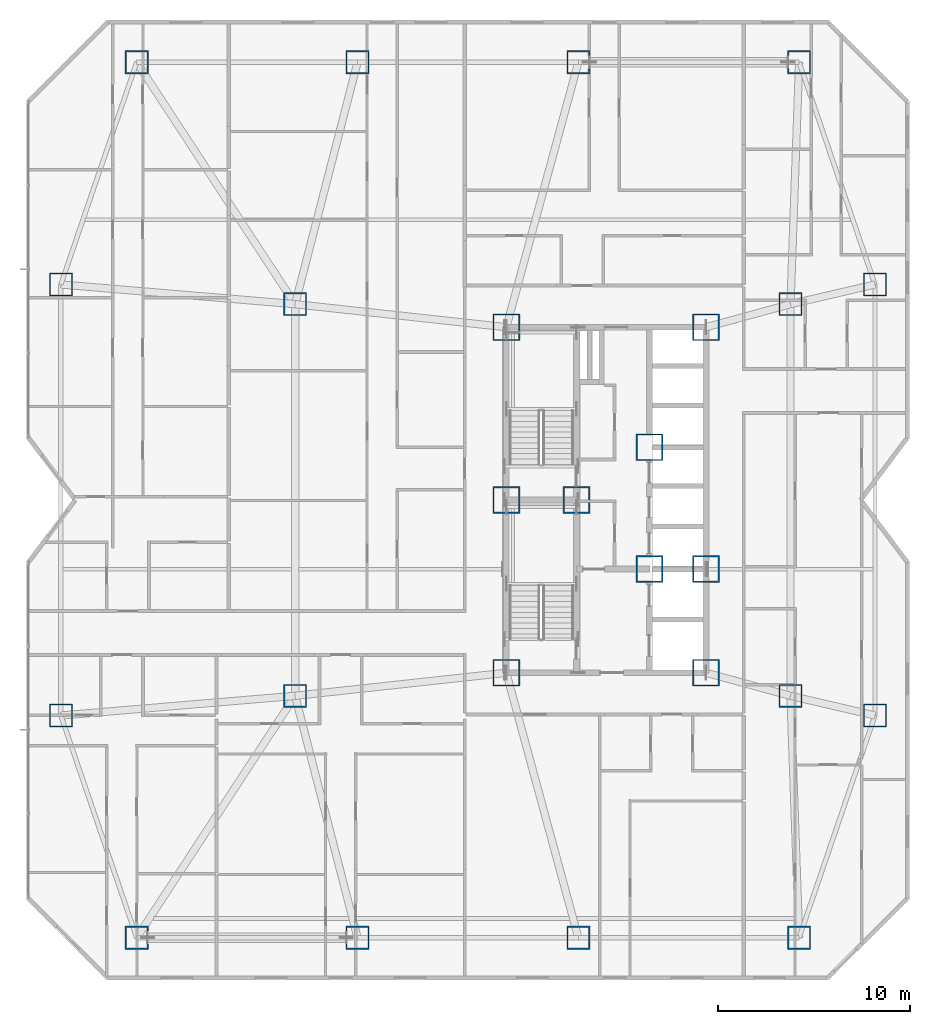
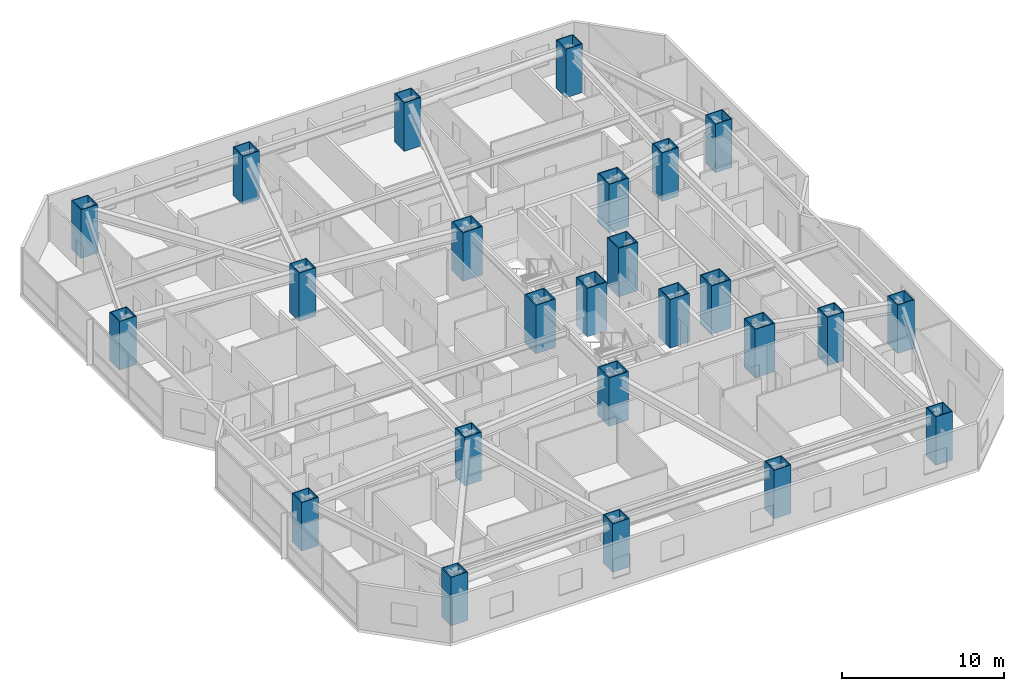
# One storey, part 1 of 25: 25 columns.
"""IFC4 building model written with IfcOpenShell, lengths in metres."""

from ifc_helpers import new_model, si_unit, direction, frame, origin, origin_2d, place, context, subcontext, project, spatial, hollow_rectangle, extrude, material, material_profile, profile_set, type_object, element, save


model = new_model("IFC4")

# Units and contexts
model_context = context("Model", 3, precision=1e-05, world=origin(), true_north=direction((0.0, 1.0)))
body_context = subcontext(model_context, "Body", "Model", "MODEL_VIEW")
ifc_project = project(units=[si_unit("LENGTHUNIT", "METRE"), si_unit("AREAUNIT", "SQUARE_METRE"), si_unit("VOLUMEUNIT", "CUBIC_METRE"), si_unit("PLANEANGLEUNIT", "RADIAN"), si_unit("MASSUNIT", "GRAM", prefix="KILO")], contexts=[model_context])

# Site, building, storey
site_placement = place(None, origin())
site = spatial("IfcSite", under=ifc_project, at=site_placement, CompositionType="ELEMENT")
building_placement = place(site_placement, origin())
building = spatial("IfcBuilding", under=site, at=building_placement, Name="Khamvora Tower", CompositionType="ELEMENT")
storey_placement = place(building_placement, frame((0.0, 0.0, 36.949951171875)))
storey = spatial("IfcBuildingStorey", under=building, at=storey_placement, Name="L08", CompositionType="ELEMENT", Elevation=36.949951171875)

# Columns
ifc_material = material(Name="Steel S460", Category="steel")
ifc_material_profile_1 = material_profile(ifc_material, hollow_rectangle(XDim=1.199951171875, YDim=1.199951171875, WallThickness=0.06005859375, at=origin_2d()), Name="BOX1200x1200x60")
ifc_profile_set_1 = profile_set([ifc_material_profile_1], Name="Steel S460")
column_type_1 = type_object("IfcColumnType", Name="COL-BOX1200", PredefinedType="COLUMN", material=ifc_profile_set_1)
for number, where, z_axis, x_axis, name in (
    (1, (9.75, 5.199951171875, 0.0), (0.0, 0.0, 1.0), (1.0, 0.0, 0.0), "L08 structural frame column S1"),
    (2, (21.25, 5.199951171875, 0.0), (0.0, 0.0, 1.0), (1.0, 0.0, 0.0), "L08 structural frame column S2"),
    (3, (32.75, 5.199951171875, 0.0), (0.0, 0.0, 1.0), (1.0, 0.0, 0.0), "L08 structural frame column S3"),
    (4, (44.25, 5.199951171875, 0.0), (0.0, 0.0, 1.0), (1.0, 0.0, 0.0), "L08 structural frame column S4"),
    (5, (9.75, 50.800048828125, 0.0), (0.0, 0.0, 1.0), (1.0, 0.0, 0.0), "L08 structural frame column N1"),
    (6, (21.25, 50.800048828125, 0.0), (0.0, 0.0, 1.0), (1.0, 0.0, 0.0), "L08 structural frame column N2"),
    (7, (32.75, 50.800048828125, 0.0), (0.0, 0.0, 1.0), (1.0, 0.0, 0.0), "L08 structural frame column N3"),
    (8, (44.25, 50.800048828125, 0.0), (0.0, 0.0, 1.0), (1.0, 0.0, 0.0), "L08 structural frame column N4"),
    (9, (5.800048828125, 16.77490234375, 0.0), (0.0, 0.0, 1.0), (1.0, 0.0, 0.0), "L08 structural frame column W1"),
    (10, (5.800048828125, 39.22509765625, 0.0), (0.0, 0.0, 1.0), (1.0, 0.0, 0.0), "L08 structural frame column W2"),
    (11, (48.199951171875, 16.77490234375, 0.0), (0.0, 0.0, 1.0), (1.0, 0.0, 0.0), "L08 structural frame column E1"),
    (12, (48.199951171875, 39.22509765625, 0.0), (0.0, 0.0, 1.0), (1.0, 0.0, 0.0), "L08 structural frame column E2"),
    (13, (18.0, 17.800048828125, 0.0), (0.0, 0.0, 1.0), (1.0, 0.0, 0.0), "L08 structural frame column MW1"),
    (14, (18.0, 38.199951171875, 0.0), (0.0, 0.0, 1.0), (1.0, 0.0, 0.0), "L08 structural frame column MW2"),
    (15, (43.800048828125, 17.800048828125, 0.0), (0.0, 0.0, 1.0), (1.0, 0.0, 0.0), "L08 structural frame column M1"),
    (16, (43.800048828125, 38.199951171875, 0.0), (0.0, 0.0, 1.0), (1.0, 0.0, 0.0), "L08 structural frame column M2"),
):
    element("IfcColumn", number, at=place(storey_placement, frame(where, z_axis=z_axis, x_axis=x_axis)), inside=storey, type_object=column_type_1, Name=name, PredefinedType="COLUMN", context=body_context, shape_type="SweptSolid", body=[
        extrude(hollow_rectangle(XDim=1.199951171875, YDim=1.199951171875, WallThickness=0.06005859375, at=origin_2d()), origin(), (0.0, 0.0, 1.0), 3.650146484375),
    ])
ifc_material_profile_2 = material_profile(ifc_material, hollow_rectangle(XDim=1.39990234375, YDim=1.39990234375, WallThickness=0.070068359375, at=origin_2d()), Name="BOX1400x1400x70")
ifc_profile_set_2 = profile_set([ifc_material_profile_2], Name="Steel S460")
column_type_2 = type_object("IfcColumnType", Name="COL-BOX1400", PredefinedType="COLUMN", material=ifc_profile_set_2)
for number, where, z_axis, x_axis, name in (
    (17, (29.0, 19.0, 0.0), (0.0, 0.0, 1.0), (1.0, 0.0, 0.0), "L08 plumb core spine column SC1"),
    (18, (32.64990234375, 28.0, 0.0), (0.0, 0.0, 1.0), (1.0, 0.0, 0.0), "L08 plumb core spine column SC2"),
    (19, (39.39990234375, 19.0, 0.0), (0.0, 0.0, 1.0), (1.0, 0.0, 0.0), "L08 plumb core spine column SC3"),
    (20, (29.0, 28.0, 0.0), (0.0, 0.0, 1.0), (1.0, 0.0, 0.0), "L08 plumb core spine column SC4"),
    (21, (36.449951171875, 24.39990234375, 0.0), (0.0, 0.0, 1.0), (1.0, 0.0, 0.0), "L08 plumb core spine column SC5"),
    (22, (39.39990234375, 24.39990234375, 0.0), (0.0, 0.0, 1.0), (1.0, 0.0, 0.0), "L08 plumb core spine column SC6"),
    (23, (29.0, 37.0, 0.0), (0.0, 0.0, 1.0), (1.0, 0.0, 0.0), "L08 plumb core spine column SC7"),
    (24, (36.449951171875, 30.75, 0.0), (0.0, 0.0, 1.0), (1.0, 0.0, 0.0), "L08 plumb core spine column SC8"),
    (25, (39.39990234375, 37.0, 0.0), (0.0, 0.0, 1.0), (1.0, 0.0, 0.0), "L08 plumb core spine column SC9"),
):
    element("IfcColumn", number, at=place(storey_placement, frame(where, z_axis=z_axis, x_axis=x_axis)), inside=storey, type_object=column_type_2, Name=name, PredefinedType="COLUMN", context=body_context, shape_type="SweptSolid", body=[
        extrude(hollow_rectangle(XDim=1.39990234375, YDim=1.39990234375, WallThickness=0.070068359375, at=origin_2d()), origin(), (0.0, 0.0, 1.0), 3.650146484375),
    ])

save(model, "model.ifc")
